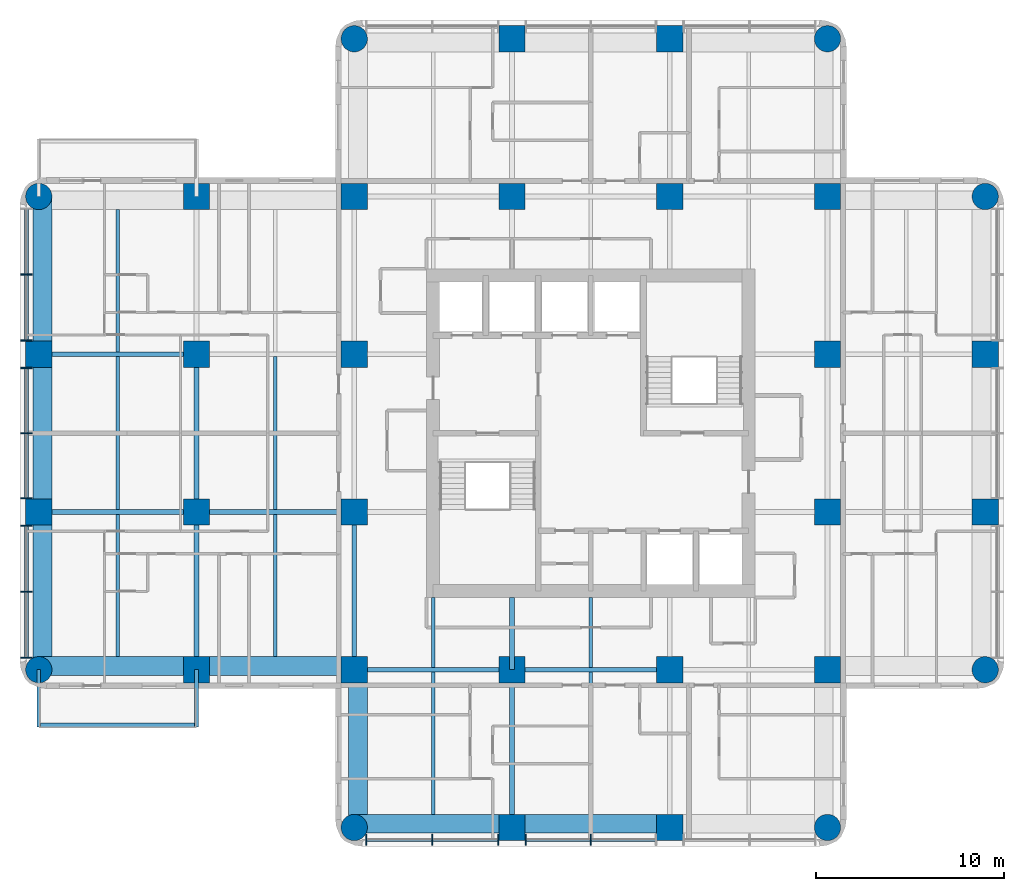
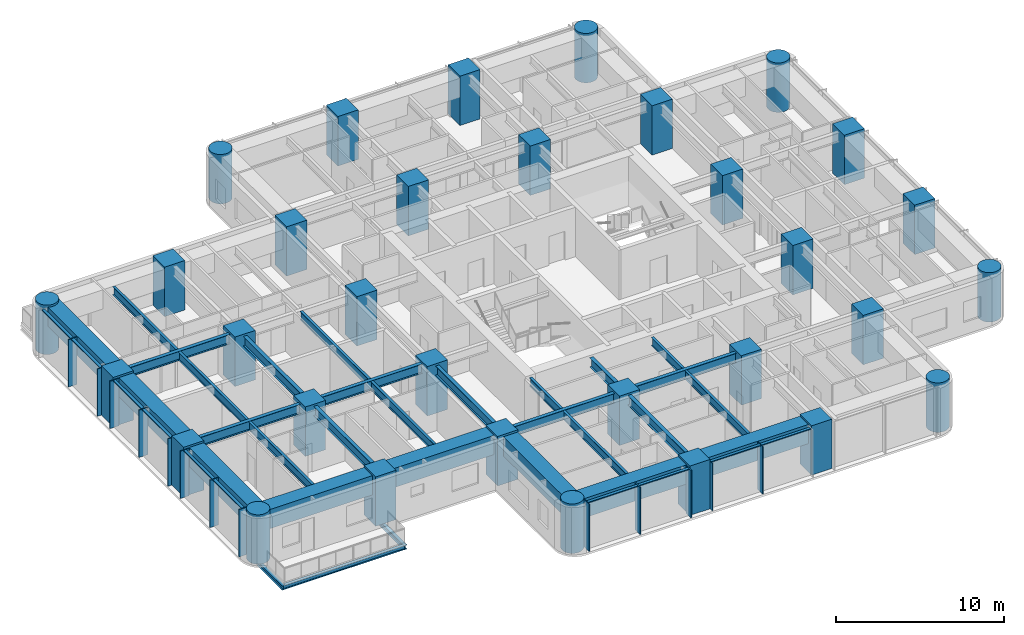
# One storey, part 1 of 11: 32 columns, 30 beams, 23 members, 2 elements without a shape of their own.
"""IFC4 building model written with IfcOpenShell, lengths in metres."""

from ifc_helpers import new_model, si_unit, direction, frame, origin, origin_2d, place, context, subcontext, project, spatial, rectangle, circle, i_section, extrude, material, material_profile, profile_set, type_object, element, aggregate, save


model = new_model("IFC4")

# Units and contexts
model_context = context("Model", 3, precision=1e-05, world=origin(), true_north=direction((0.0, 1.0)))
body_context = subcontext(model_context, "Body", "Model", "MODEL_VIEW")
ifc_project = project(units=[si_unit("LENGTHUNIT", "METRE"), si_unit("AREAUNIT", "SQUARE_METRE"), si_unit("VOLUMEUNIT", "CUBIC_METRE"), si_unit("PLANEANGLEUNIT", "RADIAN"), si_unit("MASSUNIT", "GRAM", prefix="KILO")], contexts=[model_context])

# Site, building, storey
site_placement = place(None, origin())
site = spatial("IfcSite", under=ifc_project, at=site_placement, CompositionType="ELEMENT")
building_placement = place(site_placement, origin())
building = spatial("IfcBuilding", under=site, at=building_placement, Name="Torre Alcanfor", CompositionType="ELEMENT")
storey_placement = place(building_placement, frame((0.0, 0.0, 204.89990234375)))
storey = spatial("IfcBuildingStorey", under=building, at=storey_placement, Name="L53", CompositionType="ELEMENT", Elevation=204.89990234375)

# Columns
ifc_material_1 = material(Name="Concrete f'c 70 MPa", Category="concrete")
ifc_material_profile_1 = material_profile(ifc_material_1, rectangle(XDim=1.39990234375, YDim=1.39990234375, at=origin_2d()), Name="1400x1400")
ifc_profile_set_1 = profile_set([ifc_material_profile_1], Name="Concrete f'c 70 MPa")
column_type_1 = type_object("IfcColumnType", Name="RC column 1400x1400 f'c70", PredefinedType="COLUMN", material=ifc_profile_set_1)
for number, where, z_axis, x_axis, name in (
    (1, (0.0, 25.199951171875, 0.0), (0.0, 0.0, 1.0), (1.0, 0.0, 0.0), "Column 1/F L53"),
    (2, (0.0, 33.60009765625, 0.0), (0.0, 0.0, 1.0), (1.0, 0.0, 0.0), "Column 1/G L53"),
    (3, (8.39990234375, 16.800048828125, 0.0), (0.0, 0.0, 1.0), (1.0, 0.0, 0.0), "Column 2/E L53"),
    (4, (8.39990234375, 25.199951171875, 0.0), (0.0, 0.0, 1.0), (1.0, 0.0, 0.0), "Column 2/F L53"),
    (5, (8.39990234375, 33.60009765625, 0.0), (0.0, 0.0, 1.0), (1.0, 0.0, 0.0), "Column 2/G L53"),
    (6, (8.39990234375, 42.0, 0.0), (0.0, 0.0, 1.0), (1.0, 0.0, 0.0), "Column 2/H L53"),
    (7, (16.800048828125, 16.800048828125, 0.0), (0.0, 0.0, 1.0), (1.0, 0.0, 0.0), "Column 3/E L53"),
    (8, (16.800048828125, 25.199951171875, 0.0), (0.0, 0.0, 1.0), (1.0, 0.0, 0.0), "Column 3/F L53"),
    (9, (16.800048828125, 33.60009765625, 0.0), (0.0, 0.0, 1.0), (1.0, 0.0, 0.0), "Column 3/G L53"),
    (10, (16.800048828125, 42.0, 0.0), (0.0, 0.0, 1.0), (1.0, 0.0, 0.0), "Column 3/H L53"),
    (11, (25.199951171875, 8.39990234375, 0.0), (0.0, 0.0, 1.0), (1.0, 0.0, 0.0), "Column 4/D L53"),
    (12, (25.199951171875, 16.800048828125, 0.0), (0.0, 0.0, 1.0), (1.0, 0.0, 0.0), "Column 4/E L53"),
    (13, (25.199951171875, 42.0, 0.0), (0.0, 0.0, 1.0), (1.0, 0.0, 0.0), "Column 4/H L53"),
    (14, (25.199951171875, 50.39990234375, 0.0), (0.0, 0.0, 1.0), (1.0, 0.0, 0.0), "Column 4/J L53"),
    (15, (33.60009765625, 8.39990234375, 0.0), (0.0, 0.0, 1.0), (1.0, 0.0, 0.0), "Column 5/D L53"),
    (16, (33.60009765625, 16.800048828125, 0.0), (0.0, 0.0, 1.0), (1.0, 0.0, 0.0), "Column 5/E L53"),
    (17, (33.60009765625, 42.0, 0.0), (0.0, 0.0, 1.0), (1.0, 0.0, 0.0), "Column 5/H L53"),
    (18, (33.60009765625, 50.39990234375, 0.0), (0.0, 0.0, 1.0), (1.0, 0.0, 0.0), "Column 5/J L53"),
    (19, (42.0, 16.800048828125, 0.0), (0.0, 0.0, 1.0), (1.0, 0.0, 0.0), "Column 6/E L53"),
    (20, (42.0, 25.199951171875, 0.0), (0.0, 0.0, 1.0), (1.0, 0.0, 0.0), "Column 6/F L53"),
    (21, (42.0, 33.60009765625, 0.0), (0.0, 0.0, 1.0), (1.0, 0.0, 0.0), "Column 6/G L53"),
    (22, (42.0, 42.0, 0.0), (0.0, 0.0, 1.0), (1.0, 0.0, 0.0), "Column 6/H L53"),
    (23, (50.39990234375, 25.199951171875, 0.0), (0.0, 0.0, 1.0), (1.0, 0.0, 0.0), "Column 7/F L53"),
    (24, (50.39990234375, 33.60009765625, 0.0), (0.0, 0.0, 1.0), (1.0, 0.0, 0.0), "Column 7/G L53"),
):
    element("IfcColumn", number, at=place(storey_placement, frame(where, z_axis=z_axis, x_axis=x_axis)), inside=storey, type_object=column_type_1, Name=name, PredefinedType="COLUMN", context=body_context, shape_type="SweptSolid", body=[
        extrude(rectangle(XDim=1.39990234375, YDim=1.39990234375, at=origin_2d()), origin(), (0.0, 0.0, 1.0), 3.60009765625),
    ])
ifc_material_2 = material(Name="Concrete f'c 70 MPa", Category="concrete")
ifc_material_profile_2 = material_profile(ifc_material_2, circle(Radius=0.699951171875, at=origin_2d()), Name="D1400")
ifc_profile_set_2 = profile_set([ifc_material_profile_2], Name="Concrete f'c 70 MPa")
column_type_2 = type_object("IfcColumnType", Name="RC column D1400 f'c70", PredefinedType="COLUMN", material=ifc_profile_set_2)
for number, where, z_axis, x_axis, name in (
    (25, (0.0, 16.800048828125, 0.0), (0.0, 0.0, 1.0), (1.0, 0.0, 0.0), "Column 1/E L53"),
    (26, (0.0, 42.0, 0.0), (0.0, 0.0, 1.0), (1.0, 0.0, 0.0), "Column 1/H L53"),
    (27, (16.800048828125, 8.39990234375, 0.0), (0.0, 0.0, 1.0), (1.0, 0.0, 0.0), "Column 3/D L53"),
    (28, (16.800048828125, 50.39990234375, 0.0), (0.0, 0.0, 1.0), (1.0, 0.0, 0.0), "Column 3/J L53"),
    (29, (42.0, 8.39990234375, 0.0), (0.0, 0.0, 1.0), (1.0, 0.0, 0.0), "Column 6/D L53"),
    (30, (42.0, 50.39990234375, 0.0), (0.0, 0.0, 1.0), (1.0, 0.0, 0.0), "Column 6/J L53"),
    (31, (50.39990234375, 16.800048828125, 0.0), (0.0, 0.0, 1.0), (1.0, 0.0, 0.0), "Column 7/E L53"),
    (32, (50.39990234375, 42.0, 0.0), (0.0, 0.0, 1.0), (1.0, 0.0, 0.0), "Column 7/H L53"),
):
    element("IfcColumn", number, at=place(storey_placement, frame(where, z_axis=z_axis, x_axis=x_axis)), inside=storey, type_object=column_type_2, Name=name, PredefinedType="COLUMN", context=body_context, shape_type="SweptSolid", body=[
        extrude(circle(Radius=0.699951171875, at=origin_2d()), origin(), (0.0, 0.0, 1.0), 3.60009765625),
    ])

# Beams
ifc_material_3 = material(Name="Steel ASTM A992 Grade 50", Category="steel")
ifc_material_profile_3 = material_profile(ifc_material_3, i_section(OverallWidth=0.205322265625, OverallDepth=0.309814453125, WebThickness=0.00927734375, FlangeThickness=0.016357421875, at=origin_2d()), Name="W12x50")
ifc_profile_set_3 = profile_set([ifc_material_profile_3], Name="Steel ASTM A992 Grade 50")
beam_type_1 = type_object("IfcBeamType", Name="Balcony cantilever beam W12x50", PredefinedType="BEAM", material=ifc_profile_set_3)
for number, where, z_axis, x_axis, name in (
    (33, (8.39990234375, 16.800048828125, -0.354736328125), (0.0, -1.0, 0.0), (1.0, 0.0, 0.0), "Balcony cantilever beam L53-W1 1"),
    (34, (0.0, 16.800048828125, -0.354736328125), (0.0, -1.0, 0.0), (1.0, 0.0, 0.0), "Balcony cantilever beam L53-W1 2"),
):
    element("IfcBeam", number, at=place(storey_placement, frame(where, z_axis=z_axis, x_axis=x_axis)), inside=storey, type_object=beam_type_1, Name=name, PredefinedType="BEAM", context=body_context, shape_type="SweptSolid", body=[
        extrude(i_section(OverallWidth=0.205322265625, OverallDepth=0.309814453125, WebThickness=0.00927734375, FlangeThickness=0.016357421875, at=origin_2d()), origin(), (0.0, 0.0, 1.0), 3.050048828125),
    ])
ifc_material_4 = material(Name="Steel ASTM A992 Grade 50", Category="steel")
ifc_material_profile_4 = material_profile(ifc_material_4, i_section(OverallWidth=0.203369140625, OverallDepth=0.30224609375, WebThickness=0.007568359375, FlangeThickness=0.01318359375, at=origin_2d()), Name="W12x40")
ifc_profile_set_4 = profile_set([ifc_material_profile_4], Name="Steel ASTM A992 Grade 50")
beam_type_2 = type_object("IfcBeamType", Name="Balcony edge trimmer W12x40", PredefinedType="BEAM", material=ifc_profile_set_4)
beam_1_placement = place(storey_placement, frame((8.39990234375, 13.851806640625, -0.35107421875), z_axis=(-1.0, 0.0, 0.0), x_axis=(0.0, -1.0, 0.0)))
element("IfcBeam", 35, at=beam_1_placement, inside=storey, type_object=beam_type_2, Name="Balcony edge trimmer L53-W1", PredefinedType="BEAM", context=body_context, shape_type="SweptSolid", body=[
    extrude(i_section(OverallWidth=0.203369140625, OverallDepth=0.30224609375, WebThickness=0.007568359375, FlangeThickness=0.01318359375, at=origin_2d()), origin(), (0.0, 0.0, 1.0), 8.39990234375),
])

# Curtain wall, members
ifc_material_5 = material(Name="Aluminium and glass", Category="aluminium")
curtain_wall_type = type_object("IfcCurtainWallType", Name="CW-A unitised apartment glazing with vertical FIN", PredefinedType="NOTDEFINED", material=ifc_material_5)
curtain_wall_1_placement = place(storey_placement, origin())
curtain_wall_1 = element("IfcCurtainWall", 36, at=curtain_wall_1_placement, inside=storey, type_object=curtain_wall_type, Name="Curtain wall CW-A L53 2", PredefinedType="NOTDEFINED")
ifc_material_6 = material(Name="Bronze anodised aluminium", Category="aluminium")
ifc_material_profile_5 = material_profile(ifc_material_6, rectangle(XDim=0.60009765625, YDim=0.06494140625, at=origin_2d()), Name="CW-A mullion 65x600")
ifc_profile_set_5 = profile_set([ifc_material_profile_5], Name="Bronze anodised aluminium")
member_type_1 = type_object("IfcMemberType", Name="CW-A mullion with vertical FIN 65x600", PredefinedType="MULLION", material=ifc_profile_set_5)
member_1_placement = place(storey_placement, frame((-0.64990234375, 37.846435546875, 0.0), z_axis=(0.0, 0.0, 1.0), x_axis=(1.0, 0.0, 0.0)))
member_1 = element("IfcMember", 37, at=member_1_placement, type_object=member_type_1, Name="CW-A mullion 1.2", PredefinedType="MULLION", context=body_context, shape_type="SweptSolid", body=[
    extrude(rectangle(XDim=0.60009765625, YDim=0.06494140625, at=origin_2d()), origin(), (0.0, 0.0, 1.0), 3.4501953125),
])
member_2_placement = place(storey_placement, frame((-0.64990234375, 34.33740234375, 0.0), z_axis=(0.0, 0.0, 1.0), x_axis=(1.0, 0.0, 0.0)))
member_2 = element("IfcMember", 38, at=member_2_placement, type_object=member_type_1, Name="CW-A mullion 1.3", PredefinedType="MULLION", context=body_context, shape_type="SweptSolid", body=[
    extrude(rectangle(XDim=0.60009765625, YDim=0.06494140625, at=origin_2d()), origin(), (0.0, 0.0, 1.0), 3.4501953125),
])
member_3_placement = place(storey_placement, frame((-0.64990234375, 32.862548828125, 0.0), z_axis=(0.0, 0.0, 1.0), x_axis=(1.0, 0.0, 0.0)))
member_3 = element("IfcMember", 39, at=member_3_placement, type_object=member_type_1, Name="CW-A mullion 2.1", PredefinedType="MULLION", context=body_context, shape_type="SweptSolid", body=[
    extrude(rectangle(XDim=0.60009765625, YDim=0.06494140625, at=origin_2d()), origin(), (0.0, 0.0, 1.0), 3.4501953125),
])
member_4_placement = place(storey_placement, frame((-0.64990234375, 29.39990234375, 0.0), z_axis=(0.0, 0.0, 1.0), x_axis=(1.0, 0.0, 0.0)))
member_4 = element("IfcMember", 40, at=member_4_placement, type_object=member_type_1, Name="CW-A mullion 2.2", PredefinedType="MULLION", context=body_context, shape_type="SweptSolid", body=[
    extrude(rectangle(XDim=0.60009765625, YDim=0.06494140625, at=origin_2d()), origin(), (0.0, 0.0, 1.0), 3.4501953125),
])
member_5_placement = place(storey_placement, frame((-0.64990234375, 25.9375, 0.0), z_axis=(0.0, 0.0, 1.0), x_axis=(1.0, 0.0, 0.0)))
member_5 = element("IfcMember", 41, at=member_5_placement, type_object=member_type_1, Name="CW-A mullion 2.3", PredefinedType="MULLION", context=body_context, shape_type="SweptSolid", body=[
    extrude(rectangle(XDim=0.60009765625, YDim=0.06494140625, at=origin_2d()), origin(), (0.0, 0.0, 1.0), 3.4501953125),
])
member_6_placement = place(storey_placement, frame((-0.64990234375, 24.46240234375, 0.0), z_axis=(0.0, 0.0, 1.0), x_axis=(1.0, 0.0, 0.0)))
member_6 = element("IfcMember", 42, at=member_6_placement, type_object=member_type_1, Name="CW-A mullion 3.1", PredefinedType="MULLION", context=body_context, shape_type="SweptSolid", body=[
    extrude(rectangle(XDim=0.60009765625, YDim=0.06494140625, at=origin_2d()), origin(), (0.0, 0.0, 1.0), 3.4501953125),
])
member_7_placement = place(storey_placement, frame((-0.64990234375, 20.95361328125, 0.0), z_axis=(0.0, 0.0, 1.0), x_axis=(1.0, 0.0, 0.0)))
member_7 = element("IfcMember", 43, at=member_7_placement, type_object=member_type_1, Name="CW-A mullion 3.2", PredefinedType="MULLION", context=body_context, shape_type="SweptSolid", body=[
    extrude(rectangle(XDim=0.60009765625, YDim=0.06494140625, at=origin_2d()), origin(), (0.0, 0.0, 1.0), 3.4501953125),
])
member_8_placement = place(storey_placement, frame((-0.64990234375, 17.444580078125, 0.0), z_axis=(0.0, 0.0, 1.0), x_axis=(1.0, 0.0, 0.0)))
member_8 = element("IfcMember", 44, at=member_8_placement, type_object=member_type_1, Name="CW-A mullion 3.3", PredefinedType="MULLION", context=body_context, shape_type="SweptSolid", body=[
    extrude(rectangle(XDim=0.60009765625, YDim=0.06494140625, at=origin_2d()), origin(), (0.0, 0.0, 1.0), 3.4501953125),
])

curtain_wall_2_placement = place(storey_placement, origin())
curtain_wall_2 = element("IfcCurtainWall", 45, at=curtain_wall_2_placement, inside=storey, type_object=curtain_wall_type, Name="Curtain wall CW-A L53 5", PredefinedType="NOTDEFINED")
member_9_placement = place(storey_placement, frame((17.444580078125, 7.75, 0.0), z_axis=(0.0, 0.0, 1.0), x_axis=(0.0, 1.0, 0.0)))
member_9 = element("IfcMember", 46, at=member_9_placement, type_object=member_type_1, Name="CW-A mullion 1.1", PredefinedType="MULLION", context=body_context, shape_type="SweptSolid", body=[
    extrude(rectangle(XDim=0.60009765625, YDim=0.06494140625, at=origin_2d()), origin(), (0.0, 0.0, 1.0), 3.4501953125),
])
member_10_placement = place(storey_placement, frame((20.95361328125, 7.75, 0.0), z_axis=(0.0, 0.0, 1.0), x_axis=(0.0, 1.0, 0.0)))
member_10 = element("IfcMember", 47, at=member_10_placement, type_object=member_type_1, Name="CW-A mullion 1.2", PredefinedType="MULLION", context=body_context, shape_type="SweptSolid", body=[
    extrude(rectangle(XDim=0.60009765625, YDim=0.06494140625, at=origin_2d()), origin(), (0.0, 0.0, 1.0), 3.4501953125),
])
member_11_placement = place(storey_placement, frame((24.46240234375, 7.75, 0.0), z_axis=(0.0, 0.0, 1.0), x_axis=(0.0, 1.0, 0.0)))
member_11 = element("IfcMember", 48, at=member_11_placement, type_object=member_type_1, Name="CW-A mullion 1.3", PredefinedType="MULLION", context=body_context, shape_type="SweptSolid", body=[
    extrude(rectangle(XDim=0.60009765625, YDim=0.06494140625, at=origin_2d()), origin(), (0.0, 0.0, 1.0), 3.4501953125),
])
member_12_placement = place(storey_placement, frame((25.9375, 7.75, 0.0), z_axis=(0.0, 0.0, 1.0), x_axis=(0.0, 1.0, 0.0)))
member_12 = element("IfcMember", 49, at=member_12_placement, type_object=member_type_1, Name="CW-A mullion 2.1", PredefinedType="MULLION", context=body_context, shape_type="SweptSolid", body=[
    extrude(rectangle(XDim=0.60009765625, YDim=0.06494140625, at=origin_2d()), origin(), (0.0, 0.0, 1.0), 3.4501953125),
])
member_13_placement = place(storey_placement, frame((29.39990234375, 7.75, 0.0), z_axis=(0.0, 0.0, 1.0), x_axis=(0.0, 1.0, 0.0)))
member_13 = element("IfcMember", 50, at=member_13_placement, type_object=member_type_1, Name="CW-A mullion 2.2", PredefinedType="MULLION", context=body_context, shape_type="SweptSolid", body=[
    extrude(rectangle(XDim=0.60009765625, YDim=0.06494140625, at=origin_2d()), origin(), (0.0, 0.0, 1.0), 3.4501953125),
])

# Member
ifc_material_7 = material(Name="Extruded aluminium", Category="aluminium")
ifc_material_profile_6 = material_profile(ifc_material_7, rectangle(XDim=0.199951171875, YDim=0.06494140625, at=origin_2d()), Name="CW-A transom 200x65")
ifc_profile_set_6 = profile_set([ifc_material_profile_6], Name="Extruded aluminium")
member_type_2 = type_object("IfcMemberType", Name="CW-A transom 65x200", PredefinedType="USERDEFINED", material=ifc_profile_set_6)
member_14_placement = place(storey_placement, frame((-0.64990234375, 41.322998046875, 3.41748046875), z_axis=(0.0, -1.0, 0.0), x_axis=(1.0, 0.0, 0.0)))
member_14 = element("IfcMember", 51, at=member_14_placement, type_object=member_type_2, Name="CW-A transom 1.1.2", ObjectType="TRANSOM", PredefinedType="USERDEFINED", context=body_context, shape_type="SweptSolid", body=[
    extrude(rectangle(XDim=0.199951171875, YDim=0.06494140625, at=origin_2d()), origin(), (0.0, 0.0, 1.0), 3.444091796875),
])

member_15_placement = place(storey_placement, frame((-0.64990234375, 37.81396484375, 3.41748046875), z_axis=(0.0, -1.0, 0.0), x_axis=(1.0, 0.0, 0.0)))
member_15 = element("IfcMember", 52, at=member_15_placement, type_object=member_type_2, Name="CW-A transom 1.2.2", ObjectType="TRANSOM", PredefinedType="USERDEFINED", context=body_context, shape_type="SweptSolid", body=[
    extrude(rectangle(XDim=0.199951171875, YDim=0.06494140625, at=origin_2d()), origin(), (0.0, 0.0, 1.0), 3.44384765625),
])

member_16_placement = place(storey_placement, frame((-0.64990234375, 32.830078125, 3.41748046875), z_axis=(0.0, -1.0, 0.0), x_axis=(1.0, 0.0, 0.0)))
member_16 = element("IfcMember", 53, at=member_16_placement, type_object=member_type_2, Name="CW-A transom 2.1.2", ObjectType="TRANSOM", PredefinedType="USERDEFINED", context=body_context, shape_type="SweptSolid", body=[
    extrude(rectangle(XDim=0.199951171875, YDim=0.06494140625, at=origin_2d()), origin(), (0.0, 0.0, 1.0), 3.3974609375),
])

member_17_placement = place(storey_placement, frame((-0.64990234375, 29.367431640625, 3.41748046875), z_axis=(0.0, -1.0, 0.0), x_axis=(1.0, 0.0, 0.0)))
member_17 = element("IfcMember", 54, at=member_17_placement, type_object=member_type_2, Name="CW-A transom 2.2.2", ObjectType="TRANSOM", PredefinedType="USERDEFINED", context=body_context, shape_type="SweptSolid", body=[
    extrude(rectangle(XDim=0.199951171875, YDim=0.06494140625, at=origin_2d()), origin(), (0.0, 0.0, 1.0), 3.3974609375),
])

member_18_placement = place(storey_placement, frame((-0.64990234375, 24.429931640625, 3.41748046875), z_axis=(0.0, -1.0, 0.0), x_axis=(1.0, 0.0, 0.0)))
member_18 = element("IfcMember", 55, at=member_18_placement, type_object=member_type_2, Name="CW-A transom 3.1.2", ObjectType="TRANSOM", PredefinedType="USERDEFINED", context=body_context, shape_type="SweptSolid", body=[
    extrude(rectangle(XDim=0.199951171875, YDim=0.06494140625, at=origin_2d()), origin(), (0.0, 0.0, 1.0), 3.44384765625),
])

member_19_placement = place(storey_placement, frame((-0.64990234375, 20.9208984375, 3.41748046875), z_axis=(0.0, -1.0, 0.0), x_axis=(1.0, 0.0, 0.0)))
member_19 = element("IfcMember", 56, at=member_19_placement, type_object=member_type_2, Name="CW-A transom 3.2.2", ObjectType="TRANSOM", PredefinedType="USERDEFINED", context=body_context, shape_type="SweptSolid", body=[
    extrude(rectangle(XDim=0.199951171875, YDim=0.06494140625, at=origin_2d()), origin(), (0.0, 0.0, 1.0), 3.44384765625),
])

aggregate(curtain_wall_1, [member_1, member_2, member_14, member_15, member_3, member_4, member_5, member_16, member_17, member_6, member_7, member_8, member_18, member_19])

member_20_placement = place(storey_placement, frame((17.47705078125, 7.75, 3.41748046875), z_axis=(1.0, 0.0, 0.0), x_axis=(0.0, 1.0, 0.0)))
member_20 = element("IfcMember", 57, at=member_20_placement, type_object=member_type_2, Name="CW-A transom 1.1.2", ObjectType="TRANSOM", PredefinedType="USERDEFINED", context=body_context, shape_type="SweptSolid", body=[
    extrude(rectangle(XDim=0.199951171875, YDim=0.06494140625, at=origin_2d()), origin(), (0.0, 0.0, 1.0), 3.44384765625),
])

member_21_placement = place(storey_placement, frame((20.986083984375, 7.75, 3.41748046875), z_axis=(1.0, 0.0, 0.0), x_axis=(0.0, 1.0, 0.0)))
member_21 = element("IfcMember", 58, at=member_21_placement, type_object=member_type_2, Name="CW-A transom 1.2.2", ObjectType="TRANSOM", PredefinedType="USERDEFINED", context=body_context, shape_type="SweptSolid", body=[
    extrude(rectangle(XDim=0.199951171875, YDim=0.06494140625, at=origin_2d()), origin(), (0.0, 0.0, 1.0), 3.44384765625),
])

member_22_placement = place(storey_placement, frame((25.969970703125, 7.75, 3.41748046875), z_axis=(1.0, 0.0, 0.0), x_axis=(0.0, 1.0, 0.0)))
member_22 = element("IfcMember", 59, at=member_22_placement, type_object=member_type_2, Name="CW-A transom 2.1.2", ObjectType="TRANSOM", PredefinedType="USERDEFINED", context=body_context, shape_type="SweptSolid", body=[
    extrude(rectangle(XDim=0.199951171875, YDim=0.06494140625, at=origin_2d()), origin(), (0.0, 0.0, 1.0), 3.3974609375),
])

member_23_placement = place(storey_placement, frame((29.4326171875, 7.75, 3.41748046875), z_axis=(1.0, 0.0, 0.0), x_axis=(0.0, 1.0, 0.0)))
member_23 = element("IfcMember", 60, at=member_23_placement, type_object=member_type_2, Name="CW-A transom 2.2.2", ObjectType="TRANSOM", PredefinedType="USERDEFINED", context=body_context, shape_type="SweptSolid", body=[
    extrude(rectangle(XDim=0.199951171875, YDim=0.06494140625, at=origin_2d()), origin(), (0.0, 0.0, 1.0), 3.3974609375),
])

aggregate(curtain_wall_2, [member_9, member_10, member_11, member_20, member_21, member_12, member_13, member_22, member_23])

# Beams
ifc_material_8 = material(Name="Steel ASTM A992 Grade 50", Category="steel")
ifc_material_profile_7 = material_profile(ifc_material_8, i_section(OverallWidth=0.25390625, OverallDepth=0.683349609375, WebThickness=0.012451171875, FlangeThickness=0.01904296875, at=origin_2d()), Name="W27x94")
ifc_profile_set_7 = profile_set([ifc_material_profile_7], Name="Steel ASTM A992 Grade 50")
beam_type_3 = type_object("IfcBeamType", Name="Girder W27x94", PredefinedType="BEAM", material=ifc_profile_set_7)
beam_2_placement = place(storey_placement, frame((16.800048828125, 16.800048828125, 3.1083984375), z_axis=(1.0, 0.0, 0.0), x_axis=(0.0, 1.0, 0.0)))
element("IfcBeam", 61, at=beam_2_placement, inside=storey, type_object=beam_type_3, Name="Beam 3E-4E under L54", PredefinedType="BEAM", context=body_context, shape_type="SweptSolid", body=[
    extrude(i_section(OverallWidth=0.25390625, OverallDepth=0.683349609375, WebThickness=0.012451171875, FlangeThickness=0.01904296875, at=origin_2d()), origin(), (0.0, 0.0, 1.0), 8.39990234375),
])
beam_3_placement = place(storey_placement, frame((25.199951171875, 16.800048828125, 3.1083984375), z_axis=(1.0, 0.0, 0.0), x_axis=(0.0, 1.0, 0.0)))
element("IfcBeam", 62, at=beam_3_placement, inside=storey, type_object=beam_type_3, Name="Beam 4E-5E under L54", PredefinedType="BEAM", context=body_context, shape_type="SweptSolid", body=[
    extrude(i_section(OverallWidth=0.25390625, OverallDepth=0.683349609375, WebThickness=0.012451171875, FlangeThickness=0.01904296875, at=origin_2d()), origin(), (0.0, 0.0, 1.0), 8.400146484375),
])
beam_4_placement = place(storey_placement, frame((0.0, 25.199951171875, 3.1083984375), z_axis=(1.0, 0.0, 0.0), x_axis=(0.0, 1.0, 0.0)))
element("IfcBeam", 63, at=beam_4_placement, inside=storey, type_object=beam_type_3, Name="Beam 1F-2F under L54", PredefinedType="BEAM", context=body_context, shape_type="SweptSolid", body=[
    extrude(i_section(OverallWidth=0.25390625, OverallDepth=0.683349609375, WebThickness=0.012451171875, FlangeThickness=0.01904296875, at=origin_2d()), origin(), (0.0, 0.0, 1.0), 8.39990234375),
])
beam_5_placement = place(storey_placement, frame((8.39990234375, 25.199951171875, 3.1083984375), z_axis=(1.0, 0.0, 0.0), x_axis=(0.0, 1.0, 0.0)))
element("IfcBeam", 64, at=beam_5_placement, inside=storey, type_object=beam_type_3, Name="Beam 2F-3F under L54", PredefinedType="BEAM", context=body_context, shape_type="SweptSolid", body=[
    extrude(i_section(OverallWidth=0.25390625, OverallDepth=0.683349609375, WebThickness=0.012451171875, FlangeThickness=0.01904296875, at=origin_2d()), origin(), (0.0, 0.0, 1.0), 8.400146484375),
])
for number, where, z_axis, x_axis, name in (
    (65, (0.0, 33.60009765625, 3.1083984375), (1.0, 0.0, 0.0), (0.0, 1.0, 0.0), "Beam 1G-2G under L54"),
    (66, (8.39990234375, 16.800048828125, 3.1083984375), (0.0, 1.0, 0.0), (-1.0, 0.0, 0.0), "Beam 2E-2F under L54"),
):
    element("IfcBeam", number, at=place(storey_placement, frame(where, z_axis=z_axis, x_axis=x_axis)), inside=storey, type_object=beam_type_3, Name=name, PredefinedType="BEAM", context=body_context, shape_type="SweptSolid", body=[
        extrude(i_section(OverallWidth=0.25390625, OverallDepth=0.683349609375, WebThickness=0.012451171875, FlangeThickness=0.01904296875, at=origin_2d()), origin(), (0.0, 0.0, 1.0), 8.39990234375),
    ])
beam_6_placement = place(storey_placement, frame((8.39990234375, 25.199951171875, 3.1083984375), z_axis=(0.0, 1.0, 0.0), x_axis=(-1.0, 0.0, 0.0)))
element("IfcBeam", 67, at=beam_6_placement, inside=storey, type_object=beam_type_3, Name="Beam 2F-2G under L54", PredefinedType="BEAM", context=body_context, shape_type="SweptSolid", body=[
    extrude(i_section(OverallWidth=0.25390625, OverallDepth=0.683349609375, WebThickness=0.012451171875, FlangeThickness=0.01904296875, at=origin_2d()), origin(), (0.0, 0.0, 1.0), 8.400146484375),
])
beam_7_placement = place(storey_placement, frame((16.800048828125, 16.800048828125, 3.1083984375), z_axis=(0.0, 1.0, 0.0), x_axis=(-1.0, 0.0, 0.0)))
element("IfcBeam", 68, at=beam_7_placement, inside=storey, type_object=beam_type_3, Name="Beam 3E-3F under L54", PredefinedType="BEAM", context=body_context, shape_type="SweptSolid", body=[
    extrude(i_section(OverallWidth=0.25390625, OverallDepth=0.683349609375, WebThickness=0.012451171875, FlangeThickness=0.01904296875, at=origin_2d()), origin(), (0.0, 0.0, 1.0), 8.39990234375),
])
beam_8_placement = place(storey_placement, frame((25.199951171875, 8.39990234375, 3.1083984375), z_axis=(0.0, 1.0, 0.0), x_axis=(-1.0, 0.0, 0.0)))
element("IfcBeam", 69, at=beam_8_placement, inside=storey, type_object=beam_type_3, Name="Beam 4D-4E under L54", PredefinedType="BEAM", context=body_context, shape_type="SweptSolid", body=[
    extrude(i_section(OverallWidth=0.25390625, OverallDepth=0.683349609375, WebThickness=0.012451171875, FlangeThickness=0.01904296875, at=origin_2d()), origin(), (0.0, 0.0, 1.0), 8.400146484375),
])
ifc_material_9 = material(Name="Steel ASTM A992 Grade 50", Category="steel")
ifc_material_profile_8 = material_profile(ifc_material_9, i_section(OverallWidth=0.25390625, OverallDepth=0.683349609375, WebThickness=0.012451171875, FlangeThickness=0.01904296875, at=origin_2d()), Name="W27x94")
ifc_profile_set_8 = profile_set([ifc_material_profile_8], Name="Steel ASTM A992 Grade 50")
beam_type_4 = type_object("IfcBeamType", Name="Girder, part bay W27x94", PredefinedType="BEAM", material=ifc_profile_set_8)
beam_9_placement = place(storey_placement, frame((25.199951171875, 16.800048828125, 3.1083984375), z_axis=(0.0, 1.0, 0.0), x_axis=(-1.0, 0.0, 0.0)))
element("IfcBeam", 70, at=beam_9_placement, inside=storey, type_object=beam_type_4, Name="Beam 4E-420_65 under L54", PredefinedType="BEAM", context=body_context, shape_type="SweptSolid", body=[
    extrude(i_section(OverallWidth=0.25390625, OverallDepth=0.683349609375, WebThickness=0.012451171875, FlangeThickness=0.01904296875, at=origin_2d()), origin(), (0.0, 0.0, 1.0), 3.849853515625),
])
ifc_material_10 = material(Name="Concrete f'c 70 MPa", Category="concrete")
ifc_material_profile_9 = material_profile(ifc_material_10, rectangle(XDim=1.0, YDim=1.39990234375, at=origin_2d()), Name="1000x1400")
ifc_profile_set_9 = profile_set([ifc_material_profile_9], Name="Concrete f'c 70 MPa")
beam_type_5 = type_object("IfcBeamType", Name="RC perimeter beam 1000x1400", PredefinedType="BEAM", material=ifc_profile_set_9)
beam_10_placement = place(storey_placement, frame((16.800048828125, 8.60009765625, 2.75), z_axis=(1.0, 0.0, 0.0), x_axis=(0.0, 1.0, 0.0)))
element("IfcBeam", 71, at=beam_10_placement, inside=storey, type_object=beam_type_5, Name="Beam 3D-4D under L54", PredefinedType="BEAM", context=body_context, shape_type="SweptSolid", body=[
    extrude(rectangle(XDim=1.0, YDim=1.39990234375, at=origin_2d()), origin(), (0.0, 0.0, 1.0), 8.27294921875),
])
beam_11_placement = place(storey_placement, frame((25.326904296875, 8.60009765625, 2.75), z_axis=(1.0, 0.0, 0.0), x_axis=(0.0, 1.0, 0.0)))
element("IfcBeam", 72, at=beam_11_placement, inside=storey, type_object=beam_type_5, Name="Beam 4D-5D under L54", PredefinedType="BEAM", context=body_context, shape_type="SweptSolid", body=[
    extrude(rectangle(XDim=1.0, YDim=1.39990234375, at=origin_2d()), origin(), (0.0, 0.0, 1.0), 8.14599609375),
])
beam_12_placement = place(storey_placement, frame((0.0, 17.0, 2.75), z_axis=(1.0, 0.0, 0.0), x_axis=(0.0, 1.0, 0.0)))
element("IfcBeam", 73, at=beam_12_placement, inside=storey, type_object=beam_type_5, Name="Beam 1E-2E under L54", PredefinedType="BEAM", context=body_context, shape_type="SweptSolid", body=[
    extrude(rectangle(XDim=1.0, YDim=1.39990234375, at=origin_2d()), origin(), (0.0, 0.0, 1.0), 8.27294921875),
])
beam_13_placement = place(storey_placement, frame((8.527099609375, 17.0, 2.75), z_axis=(1.0, 0.0, 0.0), x_axis=(0.0, 1.0, 0.0)))
element("IfcBeam", 74, at=beam_13_placement, inside=storey, type_object=beam_type_5, Name="Beam 2E-3E under L54", PredefinedType="BEAM", context=body_context, shape_type="SweptSolid", body=[
    extrude(rectangle(XDim=1.0, YDim=1.39990234375, at=origin_2d()), origin(), (0.0, 0.0, 1.0), 8.14599609375),
])
beam_14_placement = place(storey_placement, frame((0.199951171875, 16.800048828125, 2.75), z_axis=(0.0, 1.0, 0.0), x_axis=(-1.0, 0.0, 0.0)))
element("IfcBeam", 75, at=beam_14_placement, inside=storey, type_object=beam_type_5, Name="Beam 1E-1F under L54", PredefinedType="BEAM", context=body_context, shape_type="SweptSolid", body=[
    extrude(rectangle(XDim=1.0, YDim=1.39990234375, at=origin_2d()), origin(), (0.0, 0.0, 1.0), 8.27294921875),
])
beam_15_placement = place(storey_placement, frame((0.199951171875, 25.326904296875, 2.75), z_axis=(0.0, 1.0, 0.0), x_axis=(-1.0, 0.0, 0.0)))
element("IfcBeam", 76, at=beam_15_placement, inside=storey, type_object=beam_type_5, Name="Beam 1F-1G under L54", PredefinedType="BEAM", context=body_context, shape_type="SweptSolid", body=[
    extrude(rectangle(XDim=1.0, YDim=1.39990234375, at=origin_2d()), origin(), (0.0, 0.0, 1.0), 8.14599609375),
])
beam_16_placement = place(storey_placement, frame((0.199951171875, 33.72705078125, 2.75), z_axis=(0.0, 1.0, 0.0), x_axis=(-1.0, 0.0, 0.0)))
element("IfcBeam", 77, at=beam_16_placement, inside=storey, type_object=beam_type_5, Name="Beam 1G-1H under L54", PredefinedType="BEAM", context=body_context, shape_type="SweptSolid", body=[
    extrude(rectangle(XDim=1.0, YDim=1.39990234375, at=origin_2d()), origin(), (0.0, 0.0, 1.0), 8.27294921875),
])
beam_17_placement = place(storey_placement, frame((17.0, 8.39990234375, 2.75), z_axis=(0.0, 1.0, 0.0), x_axis=(-1.0, 0.0, 0.0)))
element("IfcBeam", 78, at=beam_17_placement, inside=storey, type_object=beam_type_5, Name="Beam 3D-3E under L54", PredefinedType="BEAM", context=body_context, shape_type="SweptSolid", body=[
    extrude(rectangle(XDim=1.0, YDim=1.39990234375, at=origin_2d()), origin(), (0.0, 0.0, 1.0), 8.273193359375),
])
ifc_material_11 = material(Name="Steel ASTM A992 Grade 50", Category="steel")
ifc_material_profile_10 = material_profile(ifc_material_11, i_section(OverallWidth=0.1787109375, OverallDepth=0.60205078125, WebThickness=0.010986328125, FlangeThickness=0.014892578125, at=origin_2d()), Name="W24x62")
ifc_profile_set_10 = profile_set([ifc_material_profile_10], Name="Steel ASTM A992 Grade 50")
beam_type_6 = type_object("IfcBeamType", Name="Secondary beam W24x62", PredefinedType="BEAM", material=ifc_profile_set_10)
beam_18_placement = place(storey_placement, frame((4.199951171875, 17.5, 3.149169921875), z_axis=(0.0, 1.0, 0.0), x_axis=(-1.0, 0.0, 0.0)))
element("IfcBeam", 79, at=beam_18_placement, inside=storey, type_object=beam_type_6, Name="Beam 4_2E-4_2F under L54", PredefinedType="BEAM", context=body_context, shape_type="SweptSolid", body=[
    extrude(i_section(OverallWidth=0.1787109375, OverallDepth=0.60205078125, WebThickness=0.010986328125, FlangeThickness=0.014892578125, at=origin_2d()), origin(), (0.0, 0.0, 1.0), 7.572998046875),
])
beam_19_placement = place(storey_placement, frame((4.199951171875, 25.326904296875, 3.149169921875), z_axis=(0.0, 1.0, 0.0), x_axis=(-1.0, 0.0, 0.0)))
element("IfcBeam", 80, at=beam_19_placement, inside=storey, type_object=beam_type_6, Name="Beam 4_2F-4_2G under L54", PredefinedType="BEAM", context=body_context, shape_type="SweptSolid", body=[
    extrude(i_section(OverallWidth=0.1787109375, OverallDepth=0.60205078125, WebThickness=0.010986328125, FlangeThickness=0.014892578125, at=origin_2d()), origin(), (0.0, 0.0, 1.0), 8.14599609375),
])
for number, where, z_axis, x_axis, name in (
    (81, (4.199951171875, 33.72705078125, 3.149169921875), (0.0, 1.0, 0.0), (-1.0, 0.0, 0.0), "Beam 4_2G-4_2H under L54"),
    (82, (12.60009765625, 17.5, 3.149169921875), (0.0, 1.0, 0.0), (-1.0, 0.0, 0.0), "Beam 12_6E-12_6F under L54"),
):
    element("IfcBeam", number, at=place(storey_placement, frame(where, z_axis=z_axis, x_axis=x_axis)), inside=storey, type_object=beam_type_6, Name=name, PredefinedType="BEAM", context=body_context, shape_type="SweptSolid", body=[
        extrude(i_section(OverallWidth=0.1787109375, OverallDepth=0.60205078125, WebThickness=0.010986328125, FlangeThickness=0.014892578125, at=origin_2d()), origin(), (0.0, 0.0, 1.0), 7.572998046875),
    ])
beam_20_placement = place(storey_placement, frame((12.60009765625, 25.326904296875, 3.149169921875), z_axis=(0.0, 1.0, 0.0), x_axis=(-1.0, 0.0, 0.0)))
element("IfcBeam", 83, at=beam_20_placement, inside=storey, type_object=beam_type_6, Name="Beam 12_6F-12_6G under L54", PredefinedType="BEAM", context=body_context, shape_type="SweptSolid", body=[
    extrude(i_section(OverallWidth=0.1787109375, OverallDepth=0.60205078125, WebThickness=0.010986328125, FlangeThickness=0.014892578125, at=origin_2d()), origin(), (0.0, 0.0, 1.0), 8.14599609375),
])
for number, where, z_axis, x_axis, name in (
    (84, (21.0, 9.10009765625, 3.149169921875), (0.0, 1.0, 0.0), (-1.0, 0.0, 0.0), "Beam 21D-21E under L54"),
    (85, (29.39990234375, 9.10009765625, 3.149169921875), (0.0, 1.0, 0.0), (-1.0, 0.0, 0.0), "Beam 29_4D-29_4E under L54"),
):
    element("IfcBeam", number, at=place(storey_placement, frame(where, z_axis=z_axis, x_axis=x_axis)), inside=storey, type_object=beam_type_6, Name=name, PredefinedType="BEAM", context=body_context, shape_type="SweptSolid", body=[
        extrude(i_section(OverallWidth=0.1787109375, OverallDepth=0.60205078125, WebThickness=0.010986328125, FlangeThickness=0.014892578125, at=origin_2d()), origin(), (0.0, 0.0, 1.0), 7.572998046875),
    ])
ifc_material_12 = material(Name="Steel ASTM A992 Grade 50", Category="steel")
ifc_material_profile_11 = material_profile(ifc_material_12, i_section(OverallWidth=0.1787109375, OverallDepth=0.60205078125, WebThickness=0.010986328125, FlangeThickness=0.014892578125, at=origin_2d()), Name="W24x62")
ifc_profile_set_11 = profile_set([ifc_material_profile_11], Name="Steel ASTM A992 Grade 50")
beam_type_7 = type_object("IfcBeamType", Name="Secondary beam, part bay W24x62", PredefinedType="BEAM", material=ifc_profile_set_11)
for number, where, z_axis, x_axis, name in (
    (86, (21.0, 16.927001953125, 3.149169921875), (0.0, 1.0, 0.0), (-1.0, 0.0, 0.0), "Beam 21E-2120_65 under L54"),
    (87, (29.39990234375, 16.927001953125, 3.149169921875), (0.0, 1.0, 0.0), (-1.0, 0.0, 0.0), "Beam 29_4E-29_420_65 under L54"),
):
    element("IfcBeam", number, at=place(storey_placement, frame(where, z_axis=z_axis, x_axis=x_axis)), inside=storey, type_object=beam_type_7, Name=name, PredefinedType="BEAM", context=body_context, shape_type="SweptSolid", body=[
        extrude(i_section(OverallWidth=0.1787109375, OverallDepth=0.60205078125, WebThickness=0.010986328125, FlangeThickness=0.014892578125, at=origin_2d()), origin(), (0.0, 0.0, 1.0), 3.722900390625),
    ])

save(model, "model.ifc")
